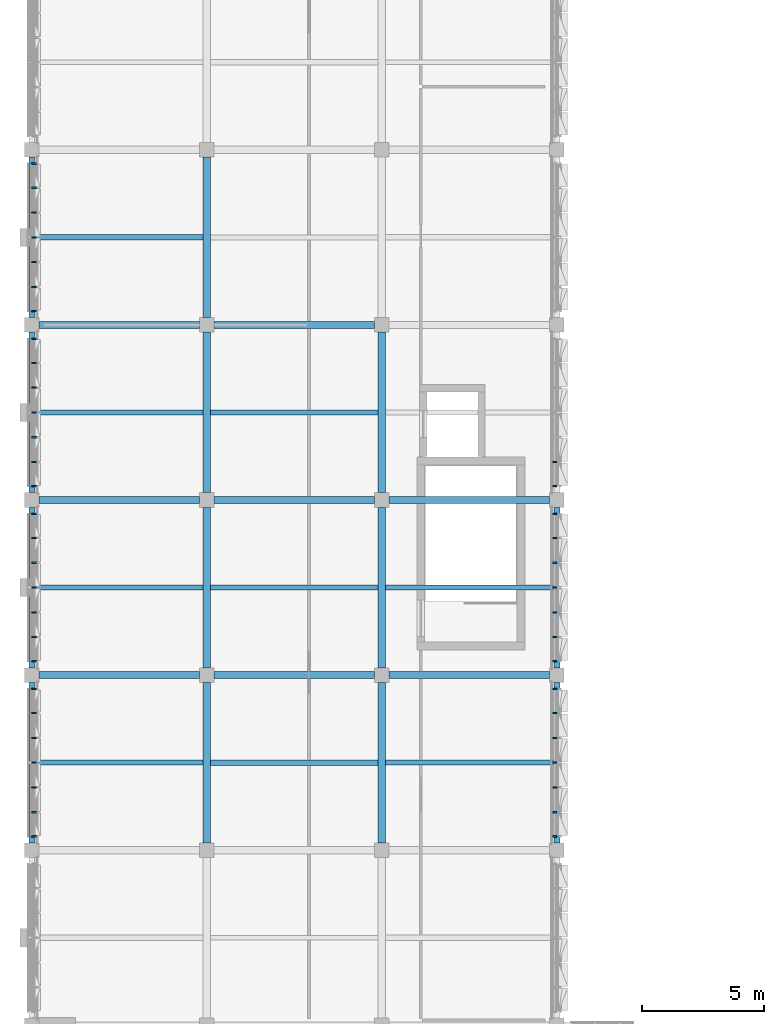
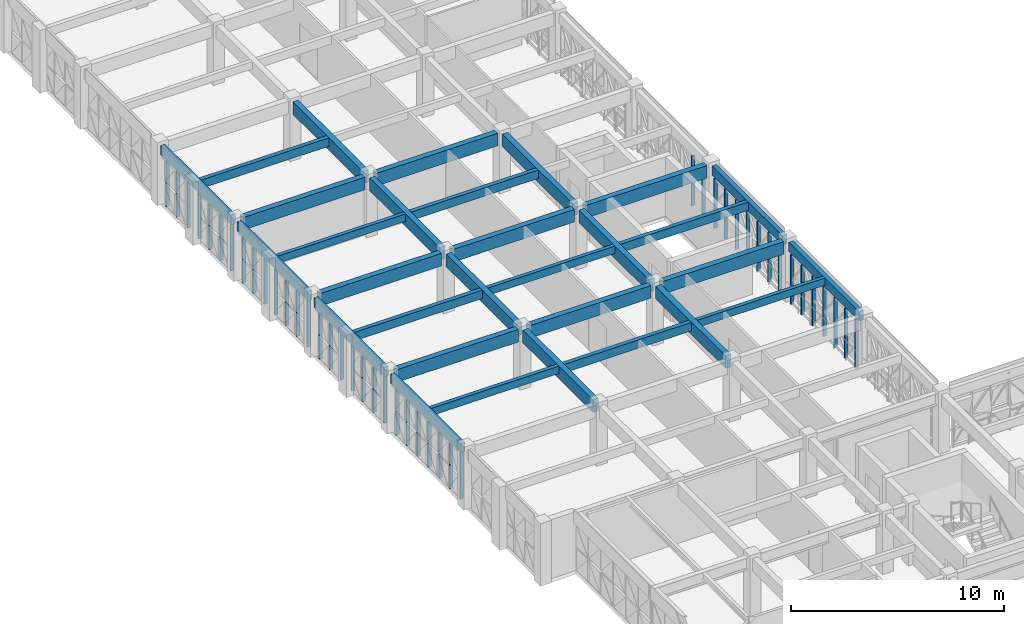
# One storey, part 13 of 74: 44 members, 30 beams, 7 elements without a shape of their own.
"""IFC4 building model written with IfcOpenShell, lengths in metres."""

from ifc_helpers import new_model, si_unit, direction, frame, origin, origin_2d, place, context, subcontext, project, spatial, rectangle, extrude, material, material_profile, profile_set, type_object, element, aggregate, save


model = new_model("IFC4")

# Units and contexts
model_context = context("Model", 3, precision=1e-05, world=origin(), true_north=direction((0.0, 1.0)))
body_context = subcontext(model_context, "Body", "Model", "MODEL_VIEW")
ifc_project = project(units=[si_unit("LENGTHUNIT", "METRE"), si_unit("AREAUNIT", "SQUARE_METRE"), si_unit("VOLUMEUNIT", "CUBIC_METRE"), si_unit("PLANEANGLEUNIT", "RADIAN"), si_unit("MASSUNIT", "GRAM", prefix="KILO")], contexts=[model_context])

# Site, building, storey
site_placement = place(None, origin())
site = spatial("IfcSite", under=ifc_project, at=site_placement, CompositionType="ELEMENT")
building_placement = place(site_placement, origin())
building = spatial("IfcBuilding", under=site, at=building_placement, Name="Alvorim Cloister Faculty of Sciences", CompositionType="ELEMENT")
storey_placement = place(building_placement, frame((0.0, 0.0, 15.75)))
storey = spatial("IfcBuildingStorey", under=building, at=storey_placement, Name="L04", CompositionType="ELEMENT", Elevation=15.75)

# Beams
ifc_material_1 = material(Name="Glulam GL32h", Category="wood")
ifc_material_profile_1 = material_profile(ifc_material_1, rectangle(XDim=0.300048828125, YDim=0.719970703125, at=origin_2d()), Name="GL32-BM-300x720")
ifc_profile_set_1 = profile_set([ifc_material_profile_1], Name="Glulam GL32h")
beam_type_1 = type_object("IfcBeamType", Name="BM-GL-300x720", PredefinedType="BEAM", material=ifc_profile_set_1)
beam_1_placement = place(storey_placement, frame((0.300048828125, 70.800048828125, 3.030029296875), z_axis=(1.0, 0.0, 0.0), x_axis=(0.0, 1.0, 0.0)))
element("IfcBeam", 1, at=beam_1_placement, inside=storey, type_object=beam_type_1, Name="L04 Primary Beam BM-1774", PredefinedType="BEAM", context=body_context, shape_type="SweptSolid", body=[
    extrude(rectangle(XDim=0.300048828125, YDim=0.719970703125, at=origin_2d()), origin(), (0.0, 0.0, 1.0), 6.599853515625),
])
for number, where, z_axis, x_axis, name in (
    (2, (7.5, 70.800048828125, 3.030029296875), (1.0, 0.0, 0.0), (0.0, 1.0, 0.0), "L04 Primary Beam BM-1775"),
    (3, (14.699951171875, 70.800048828125, 3.030029296875), (1.0, 0.0, 0.0), (0.0, 1.0, 0.0), "L04 Primary Beam BM-1776"),
):
    element("IfcBeam", number, at=place(storey_placement, frame(where, z_axis=z_axis, x_axis=x_axis)), inside=storey, type_object=beam_type_1, Name=name, PredefinedType="BEAM", context=body_context, shape_type="SweptSolid", body=[
        extrude(rectangle(XDim=0.300048828125, YDim=0.719970703125, at=origin_2d()), origin(), (0.0, 0.0, 1.0), 6.60009765625),
    ])
beam_2_placement = place(storey_placement, frame((0.300048828125, 78.0, 3.030029296875), z_axis=(1.0, 0.0, 0.0), x_axis=(0.0, 1.0, 0.0)))
element("IfcBeam", 4, at=beam_2_placement, inside=storey, type_object=beam_type_1, Name="L04 Primary Beam BM-1777", PredefinedType="BEAM", context=body_context, shape_type="SweptSolid", body=[
    extrude(rectangle(XDim=0.300048828125, YDim=0.719970703125, at=origin_2d()), origin(), (0.0, 0.0, 1.0), 6.599853515625),
])
for number, where, z_axis, x_axis, name in (
    (5, (7.5, 78.0, 3.030029296875), (1.0, 0.0, 0.0), (0.0, 1.0, 0.0), "L04 Primary Beam BM-1778"),
    (6, (14.699951171875, 78.0, 3.030029296875), (1.0, 0.0, 0.0), (0.0, 1.0, 0.0), "L04 Primary Beam BM-1779"),
):
    element("IfcBeam", number, at=place(storey_placement, frame(where, z_axis=z_axis, x_axis=x_axis)), inside=storey, type_object=beam_type_1, Name=name, PredefinedType="BEAM", context=body_context, shape_type="SweptSolid", body=[
        extrude(rectangle(XDim=0.300048828125, YDim=0.719970703125, at=origin_2d()), origin(), (0.0, 0.0, 1.0), 6.60009765625),
    ])
beam_3_placement = place(storey_placement, frame((0.300048828125, 85.199951171875, 3.030029296875), z_axis=(1.0, 0.0, 0.0), x_axis=(0.0, 1.0, 0.0)))
element("IfcBeam", 7, at=beam_3_placement, inside=storey, type_object=beam_type_1, Name="L04 Primary Beam BM-1780", PredefinedType="BEAM", context=body_context, shape_type="SweptSolid", body=[
    extrude(rectangle(XDim=0.300048828125, YDim=0.719970703125, at=origin_2d()), origin(), (0.0, 0.0, 1.0), 6.599853515625),
])
for number, where, z_axis, x_axis, name in (
    (8, (7.5, 85.199951171875, 3.030029296875), (1.0, 0.0, 0.0), (0.0, 1.0, 0.0), "L04 Primary Beam BM-1781"),
    (9, (7.199951171875, 63.89990234375, 3.030029296875), (0.0, 1.0, 0.0), (-1.0, 0.0, 0.0), "L04 Primary Girder BM-1811"),
):
    element("IfcBeam", number, at=place(storey_placement, frame(where, z_axis=z_axis, x_axis=x_axis)), inside=storey, type_object=beam_type_1, Name=name, PredefinedType="BEAM", context=body_context, shape_type="SweptSolid", body=[
        extrude(rectangle(XDim=0.300048828125, YDim=0.719970703125, at=origin_2d()), origin(), (0.0, 0.0, 1.0), 6.60009765625),
    ])
for number, where, z_axis, x_axis, name in (
    (10, (7.199951171875, 71.10009765625, 3.030029296875), (0.0, 1.0, 0.0), (-1.0, 0.0, 0.0), "L04 Primary Girder BM-1812"),
    (11, (7.199951171875, 78.300048828125, 3.030029296875), (0.0, 1.0, 0.0), (-1.0, 0.0, 0.0), "L04 Primary Girder BM-1813"),
):
    element("IfcBeam", number, at=place(storey_placement, frame(where, z_axis=z_axis, x_axis=x_axis)), inside=storey, type_object=beam_type_1, Name=name, PredefinedType="BEAM", context=body_context, shape_type="SweptSolid", body=[
        extrude(rectangle(XDim=0.300048828125, YDim=0.719970703125, at=origin_2d()), origin(), (0.0, 0.0, 1.0), 6.599853515625),
    ])
for number, where, z_axis, x_axis, name in (
    (12, (7.199951171875, 85.5, 3.030029296875), (0.0, 1.0, 0.0), (-1.0, 0.0, 0.0), "L04 Primary Girder BM-1814"),
    (13, (14.39990234375, 63.89990234375, 3.030029296875), (0.0, 1.0, 0.0), (-1.0, 0.0, 0.0), "L04 Primary Girder BM-1826"),
):
    element("IfcBeam", number, at=place(storey_placement, frame(where, z_axis=z_axis, x_axis=x_axis)), inside=storey, type_object=beam_type_1, Name=name, PredefinedType="BEAM", context=body_context, shape_type="SweptSolid", body=[
        extrude(rectangle(XDim=0.300048828125, YDim=0.719970703125, at=origin_2d()), origin(), (0.0, 0.0, 1.0), 6.60009765625),
    ])
for number, where, z_axis, x_axis, name in (
    (14, (14.39990234375, 71.10009765625, 3.030029296875), (0.0, 1.0, 0.0), (-1.0, 0.0, 0.0), "L04 Primary Girder BM-1827"),
    (15, (14.39990234375, 78.300048828125, 3.030029296875), (0.0, 1.0, 0.0), (-1.0, 0.0, 0.0), "L04 Primary Girder BM-1828"),
):
    element("IfcBeam", number, at=place(storey_placement, frame(where, z_axis=z_axis, x_axis=x_axis)), inside=storey, type_object=beam_type_1, Name=name, PredefinedType="BEAM", context=body_context, shape_type="SweptSolid", body=[
        extrude(rectangle(XDim=0.300048828125, YDim=0.719970703125, at=origin_2d()), origin(), (0.0, 0.0, 1.0), 6.599853515625),
    ])
ifc_material_2 = material(Name="Glulam GL28h", Category="wood")
ifc_material_profile_2 = material_profile(ifc_material_2, rectangle(XDim=0.199951171875, YDim=0.419921875, at=origin_2d()), Name="GL28-JST-200x420")
ifc_profile_set_2 = profile_set([ifc_material_profile_2], Name="Glulam GL28h")
beam_type_2 = type_object("IfcBeamType", Name="BM-JST-GL-200x420", PredefinedType="JOIST", material=ifc_profile_set_2)
for number, where, z_axis, x_axis, name in (
    (16, (0.1201171875, 67.199951171875, 3.179931640625), (1.0, 0.0, 0.0), (0.0, 1.0, 0.0), "L04 Secondary Floor Joist BM-1892"),
    (17, (0.1201171875, 81.60009765625, 3.179931640625), (1.0, 0.0, 0.0), (0.0, 1.0, 0.0), "L04 Secondary Floor Joist BM-1894"),
):
    element("IfcBeam", number, at=place(storey_placement, frame(where, z_axis=z_axis, x_axis=x_axis)), inside=storey, type_object=beam_type_2, Name=name, PredefinedType="JOIST", context=body_context, shape_type="SweptSolid", body=[
        extrude(rectangle(XDim=0.199951171875, YDim=0.419921875, at=origin_2d()), origin(), (0.0, 0.0, 1.0), 6.929931640625),
    ])
beam_4_placement = place(storey_placement, frame((7.35009765625, 74.39990234375, 3.179931640625), z_axis=(1.0, 0.0, 0.0), x_axis=(0.0, 1.0, 0.0)))
element("IfcBeam", 18, at=beam_4_placement, inside=storey, type_object=beam_type_2, Name="L04 Secondary Floor Joist BM-1908", PredefinedType="JOIST", context=body_context, shape_type="SweptSolid", body=[
    extrude(rectangle(XDim=0.199951171875, YDim=0.419921875, at=origin_2d()), origin(), (0.0, 0.0, 1.0), 6.89990234375),
])
beam_5_placement = place(storey_placement, frame((14.550048828125, 67.199951171875, 3.179931640625), z_axis=(1.0, 0.0, 0.0), x_axis=(0.0, 1.0, 0.0)))
element("IfcBeam", 19, at=beam_5_placement, inside=storey, type_object=beam_type_2, Name="L04 Secondary Floor Joist BM-1916", PredefinedType="JOIST", context=body_context, shape_type="SweptSolid", body=[
    extrude(rectangle(XDim=0.199951171875, YDim=0.419921875, at=origin_2d()), origin(), (0.0, 0.0, 1.0), 6.929931640625),
])
ifc_material_profile_3 = material_profile(ifc_material_2, rectangle(XDim=0.219970703125, YDim=0.47998046875, at=origin_2d()), Name="GL28-JST-220x480")
ifc_profile_set_3 = profile_set([ifc_material_profile_3], Name="Glulam GL28h")
beam_type_3 = type_object("IfcBeamType", Name="BM-JST-GL-220x480", PredefinedType="JOIST", material=ifc_profile_set_3)
for number, where, z_axis, x_axis, name in (
    (20, (0.1201171875, 74.39990234375, 3.14990234375), (1.0, 0.0, 0.0), (0.0, 1.0, 0.0), "L04 Secondary Floor Joist BM-1893"),
    (21, (0.1201171875, 88.800048828125, 3.14990234375), (1.0, 0.0, 0.0), (0.0, 1.0, 0.0), "L04 Secondary Floor Joist BM-1895"),
):
    element("IfcBeam", number, at=place(storey_placement, frame(where, z_axis=z_axis, x_axis=x_axis)), inside=storey, type_object=beam_type_3, Name=name, PredefinedType="JOIST", context=body_context, shape_type="SweptSolid", body=[
        extrude(rectangle(XDim=0.219970703125, YDim=0.47998046875, at=origin_2d()), origin(), (0.0, 0.0, 1.0), 6.929931640625),
    ])
for number, where, z_axis, x_axis, name in (
    (22, (7.35009765625, 67.199951171875, 3.14990234375), (1.0, 0.0, 0.0), (0.0, 1.0, 0.0), "L04 Secondary Floor Joist BM-1907"),
    (23, (7.35009765625, 81.60009765625, 3.14990234375), (1.0, 0.0, 0.0), (0.0, 1.0, 0.0), "L04 Secondary Floor Joist BM-1909"),
):
    element("IfcBeam", number, at=place(storey_placement, frame(where, z_axis=z_axis, x_axis=x_axis)), inside=storey, type_object=beam_type_3, Name=name, PredefinedType="JOIST", context=body_context, shape_type="SweptSolid", body=[
        extrude(rectangle(XDim=0.219970703125, YDim=0.47998046875, at=origin_2d()), origin(), (0.0, 0.0, 1.0), 6.89990234375),
    ])
beam_6_placement = place(storey_placement, frame((14.550048828125, 74.39990234375, 3.14990234375), z_axis=(1.0, 0.0, 0.0), x_axis=(0.0, 1.0, 0.0)))
element("IfcBeam", 24, at=beam_6_placement, inside=storey, type_object=beam_type_3, Name="L04 Secondary Floor Joist BM-1917", PredefinedType="JOIST", context=body_context, shape_type="SweptSolid", body=[
    extrude(rectangle(XDim=0.219970703125, YDim=0.47998046875, at=origin_2d()), origin(), (0.0, 0.0, 1.0), 6.929931640625),
])
ifc_material_profile_4 = material_profile(ifc_material_2, rectangle(XDim=0.239990234375, YDim=0.5400390625, at=origin_2d()), Name="GL28-SPD-240x540")
ifc_profile_set_4 = profile_set([ifc_material_profile_4], Name="Glulam GL28h")
beam_type_4 = type_object("IfcBeamType", Name="BM-SPD-GL-240x540", PredefinedType="SPANDREL", material=ifc_profile_set_4)
beam_7_placement = place(storey_placement, frame((0.0, 63.89990234375, 3.1201171875), z_axis=(0.0, 1.0, 0.0), x_axis=(-1.0, 0.0, 0.0)))
element("IfcBeam", 25, at=beam_7_placement, inside=storey, type_object=beam_type_4, Name="L04 Primary Girder BM-1796", PredefinedType="SPANDREL", context=body_context, shape_type="SweptSolid", body=[
    extrude(rectangle(XDim=0.239990234375, YDim=0.5400390625, at=origin_2d()), origin(), (0.0, 0.0, 1.0), 6.60009765625),
])
for number, where, z_axis, x_axis, name in (
    (26, (0.0, 71.10009765625, 3.1201171875), (0.0, 1.0, 0.0), (-1.0, 0.0, 0.0), "L04 Primary Girder BM-1797"),
    (27, (0.0, 78.300048828125, 3.1201171875), (0.0, 1.0, 0.0), (-1.0, 0.0, 0.0), "L04 Primary Girder BM-1798"),
):
    element("IfcBeam", number, at=place(storey_placement, frame(where, z_axis=z_axis, x_axis=x_axis)), inside=storey, type_object=beam_type_4, Name=name, PredefinedType="SPANDREL", context=body_context, shape_type="SweptSolid", body=[
        extrude(rectangle(XDim=0.239990234375, YDim=0.5400390625, at=origin_2d()), origin(), (0.0, 0.0, 1.0), 6.599853515625),
    ])
for number, where, z_axis, x_axis, name in (
    (28, (0.0, 85.5, 3.1201171875), (0.0, 1.0, 0.0), (-1.0, 0.0, 0.0), "L04 Primary Girder BM-1799"),
    (29, (21.60009765625, 63.89990234375, 3.1201171875), (0.0, 1.0, 0.0), (-1.0, 0.0, 0.0), "L04 Primary Girder BM-1841"),
):
    element("IfcBeam", number, at=place(storey_placement, frame(where, z_axis=z_axis, x_axis=x_axis)), inside=storey, type_object=beam_type_4, Name=name, PredefinedType="SPANDREL", context=body_context, shape_type="SweptSolid", body=[
        extrude(rectangle(XDim=0.239990234375, YDim=0.5400390625, at=origin_2d()), origin(), (0.0, 0.0, 1.0), 6.60009765625),
    ])
beam_8_placement = place(storey_placement, frame((21.60009765625, 71.10009765625, 3.1201171875), z_axis=(0.0, 1.0, 0.0), x_axis=(-1.0, 0.0, 0.0)))
element("IfcBeam", 30, at=beam_8_placement, inside=storey, type_object=beam_type_4, Name="L04 Primary Girder BM-1842", PredefinedType="SPANDREL", context=body_context, shape_type="SweptSolid", body=[
    extrude(rectangle(XDim=0.239990234375, YDim=0.5400390625, at=origin_2d()), origin(), (0.0, 0.0, 1.0), 6.599853515625),
])

# Curtain wall, members
ifc_material_3 = material(Name="Aluminium and Low-E Glass Curtain Wall", Category="aluminium")
curtain_wall_type = type_object("IfcCurtainWallType", Name="CW-TRI-6120x2850", PredefinedType="USERDEFINED", material=ifc_material_3)
curtain_wall_1_placement = place(storey_placement, origin())
curtain_wall_1 = element("IfcCurtainWall", 31, at=curtain_wall_1_placement, inside=storey, type_object=curtain_wall_type, Name="L04 Diagonal Cassette Curtain Wall CW-0171", ObjectType="UNITISED CURTAIN WALL", PredefinedType="USERDEFINED")
ifc_material_4 = material(Name="Aluminium Alloy 6063-T6", Category="aluminium")
ifc_material_profile_5 = material_profile(ifc_material_4, rectangle(XDim=0.06494140625, YDim=0.179931640625, at=origin_2d()), Name="ALU-MUL-65x180")
ifc_profile_set_5 = profile_set([ifc_material_profile_5], Name="Aluminium Alloy 6063-T6")
member_type = type_object("IfcMemberType", Name="CW-MUL-65x180", PredefinedType="MULLION", material=ifc_profile_set_5)
member_1_placement = place(storey_placement, frame((0.090087890625, 64.172607421875, 0.0), z_axis=(0.0, 0.0, 1.0), x_axis=(0.0, 1.0, 0.0)))
member_1 = element("IfcMember", 32, at=member_1_placement, type_object=member_type, Name="CW-0171 Mullion 1", PredefinedType="MULLION", context=body_context, shape_type="SweptSolid", body=[
    extrude(rectangle(XDim=0.06494140625, YDim=0.179931640625, at=origin_2d()), origin(), (0.0, 0.0, 1.0), 2.85009765625),
])
member_2_placement = place(storey_placement, frame((0.090087890625, 65.159912109375, 0.0), z_axis=(0.0, 0.0, 1.0), x_axis=(0.0, 1.0, 0.0)))
member_2 = element("IfcMember", 33, at=member_2_placement, type_object=member_type, Name="CW-0171 Mullion 2", PredefinedType="MULLION", context=body_context, shape_type="SweptSolid", body=[
    extrude(rectangle(XDim=0.06494140625, YDim=0.179931640625, at=origin_2d()), origin(), (0.0, 0.0, 1.0), 2.85009765625),
])
member_3_placement = place(storey_placement, frame((0.090087890625, 66.179931640625, 0.0), z_axis=(0.0, 0.0, 1.0), x_axis=(0.0, 1.0, 0.0)))
member_3 = element("IfcMember", 34, at=member_3_placement, type_object=member_type, Name="CW-0171 Mullion 3", PredefinedType="MULLION", context=body_context, shape_type="SweptSolid", body=[
    extrude(rectangle(XDim=0.06494140625, YDim=0.179931640625, at=origin_2d()), origin(), (0.0, 0.0, 1.0), 2.85009765625),
])
member_4_placement = place(storey_placement, frame((0.090087890625, 67.199951171875, 0.0), z_axis=(0.0, 0.0, 1.0), x_axis=(0.0, 1.0, 0.0)))
member_4 = element("IfcMember", 35, at=member_4_placement, type_object=member_type, Name="CW-0171 Mullion 4", PredefinedType="MULLION", context=body_context, shape_type="SweptSolid", body=[
    extrude(rectangle(XDim=0.06494140625, YDim=0.179931640625, at=origin_2d()), origin(), (0.0, 0.0, 1.0), 2.85009765625),
])
member_5_placement = place(storey_placement, frame((0.090087890625, 68.219970703125, 0.0), z_axis=(0.0, 0.0, 1.0), x_axis=(0.0, 1.0, 0.0)))
member_5 = element("IfcMember", 36, at=member_5_placement, type_object=member_type, Name="CW-0171 Mullion 5", PredefinedType="MULLION", context=body_context, shape_type="SweptSolid", body=[
    extrude(rectangle(XDim=0.06494140625, YDim=0.179931640625, at=origin_2d()), origin(), (0.0, 0.0, 1.0), 2.85009765625),
])
member_6_placement = place(storey_placement, frame((0.090087890625, 69.239990234375, 0.0), z_axis=(0.0, 0.0, 1.0), x_axis=(0.0, 1.0, 0.0)))
member_6 = element("IfcMember", 37, at=member_6_placement, type_object=member_type, Name="CW-0171 Mullion 6", PredefinedType="MULLION", context=body_context, shape_type="SweptSolid", body=[
    extrude(rectangle(XDim=0.06494140625, YDim=0.179931640625, at=origin_2d()), origin(), (0.0, 0.0, 1.0), 2.85009765625),
])
member_7_placement = place(storey_placement, frame((0.090087890625, 70.2275390625, 0.0), z_axis=(0.0, 0.0, 1.0), x_axis=(0.0, 1.0, 0.0)))
member_7 = element("IfcMember", 38, at=member_7_placement, type_object=member_type, Name="CW-0171 Mullion 7", PredefinedType="MULLION", context=body_context, shape_type="SweptSolid", body=[
    extrude(rectangle(XDim=0.06494140625, YDim=0.179931640625, at=origin_2d()), origin(), (0.0, 0.0, 1.0), 2.85009765625),
])
aggregate(curtain_wall_1, [member_1, member_2, member_3, member_4, member_5, member_6, member_7])

curtain_wall_2_placement = place(storey_placement, origin())
curtain_wall_2 = element("IfcCurtainWall", 39, at=curtain_wall_2_placement, inside=storey, type_object=curtain_wall_type, Name="L04 Diagonal Cassette Curtain Wall CW-0172", ObjectType="UNITISED CURTAIN WALL", PredefinedType="USERDEFINED")
member_8_placement = place(storey_placement, frame((0.090087890625, 71.37255859375, 0.0), z_axis=(0.0, 0.0, 1.0), x_axis=(0.0, 1.0, 0.0)))
member_8 = element("IfcMember", 40, at=member_8_placement, type_object=member_type, Name="CW-0172 Mullion 1", PredefinedType="MULLION", context=body_context, shape_type="SweptSolid", body=[
    extrude(rectangle(XDim=0.06494140625, YDim=0.179931640625, at=origin_2d()), origin(), (0.0, 0.0, 1.0), 2.85009765625),
])
member_9_placement = place(storey_placement, frame((0.090087890625, 72.360107421875, 0.0), z_axis=(0.0, 0.0, 1.0), x_axis=(0.0, 1.0, 0.0)))
member_9 = element("IfcMember", 41, at=member_9_placement, type_object=member_type, Name="CW-0172 Mullion 2", PredefinedType="MULLION", context=body_context, shape_type="SweptSolid", body=[
    extrude(rectangle(XDim=0.06494140625, YDim=0.179931640625, at=origin_2d()), origin(), (0.0, 0.0, 1.0), 2.85009765625),
])
member_10_placement = place(storey_placement, frame((0.090087890625, 73.3798828125, 0.0), z_axis=(0.0, 0.0, 1.0), x_axis=(0.0, 1.0, 0.0)))
member_10 = element("IfcMember", 42, at=member_10_placement, type_object=member_type, Name="CW-0172 Mullion 3", PredefinedType="MULLION", context=body_context, shape_type="SweptSolid", body=[
    extrude(rectangle(XDim=0.06494140625, YDim=0.179931640625, at=origin_2d()), origin(), (0.0, 0.0, 1.0), 2.85009765625),
])
member_11_placement = place(storey_placement, frame((0.090087890625, 74.39990234375, 0.0), z_axis=(0.0, 0.0, 1.0), x_axis=(0.0, 1.0, 0.0)))
member_11 = element("IfcMember", 43, at=member_11_placement, type_object=member_type, Name="CW-0172 Mullion 4", PredefinedType="MULLION", context=body_context, shape_type="SweptSolid", body=[
    extrude(rectangle(XDim=0.06494140625, YDim=0.179931640625, at=origin_2d()), origin(), (0.0, 0.0, 1.0), 2.85009765625),
])
member_12_placement = place(storey_placement, frame((0.090087890625, 75.419921875, 0.0), z_axis=(0.0, 0.0, 1.0), x_axis=(0.0, 1.0, 0.0)))
member_12 = element("IfcMember", 44, at=member_12_placement, type_object=member_type, Name="CW-0172 Mullion 5", PredefinedType="MULLION", context=body_context, shape_type="SweptSolid", body=[
    extrude(rectangle(XDim=0.06494140625, YDim=0.179931640625, at=origin_2d()), origin(), (0.0, 0.0, 1.0), 2.85009765625),
])
member_13_placement = place(storey_placement, frame((0.090087890625, 76.43994140625, 0.0), z_axis=(0.0, 0.0, 1.0), x_axis=(0.0, 1.0, 0.0)))
member_13 = element("IfcMember", 45, at=member_13_placement, type_object=member_type, Name="CW-0172 Mullion 6", PredefinedType="MULLION", context=body_context, shape_type="SweptSolid", body=[
    extrude(rectangle(XDim=0.06494140625, YDim=0.179931640625, at=origin_2d()), origin(), (0.0, 0.0, 1.0), 2.85009765625),
])
member_14_placement = place(storey_placement, frame((0.090087890625, 77.427490234375, 0.0), z_axis=(0.0, 0.0, 1.0), x_axis=(0.0, 1.0, 0.0)))
member_14 = element("IfcMember", 46, at=member_14_placement, type_object=member_type, Name="CW-0172 Mullion 7", PredefinedType="MULLION", context=body_context, shape_type="SweptSolid", body=[
    extrude(rectangle(XDim=0.06494140625, YDim=0.179931640625, at=origin_2d()), origin(), (0.0, 0.0, 1.0), 2.85009765625),
])
aggregate(curtain_wall_2, [member_8, member_9, member_10, member_11, member_12, member_13, member_14])

curtain_wall_3_placement = place(storey_placement, origin())
curtain_wall_3 = element("IfcCurtainWall", 47, at=curtain_wall_3_placement, inside=storey, type_object=curtain_wall_type, Name="L04 Diagonal Cassette Curtain Wall CW-0173", ObjectType="UNITISED CURTAIN WALL", PredefinedType="USERDEFINED")
member_15_placement = place(storey_placement, frame((0.090087890625, 78.572509765625, 0.0), z_axis=(0.0, 0.0, 1.0), x_axis=(0.0, 1.0, 0.0)))
member_15 = element("IfcMember", 48, at=member_15_placement, type_object=member_type, Name="CW-0173 Mullion 1", PredefinedType="MULLION", context=body_context, shape_type="SweptSolid", body=[
    extrude(rectangle(XDim=0.06494140625, YDim=0.179931640625, at=origin_2d()), origin(), (0.0, 0.0, 1.0), 2.85009765625),
])
member_16_placement = place(storey_placement, frame((0.090087890625, 79.56005859375, 0.0), z_axis=(0.0, 0.0, 1.0), x_axis=(0.0, 1.0, 0.0)))
member_16 = element("IfcMember", 49, at=member_16_placement, type_object=member_type, Name="CW-0173 Mullion 2", PredefinedType="MULLION", context=body_context, shape_type="SweptSolid", body=[
    extrude(rectangle(XDim=0.06494140625, YDim=0.179931640625, at=origin_2d()), origin(), (0.0, 0.0, 1.0), 2.85009765625),
])
member_17_placement = place(storey_placement, frame((0.090087890625, 80.580078125, 0.0), z_axis=(0.0, 0.0, 1.0), x_axis=(0.0, 1.0, 0.0)))
member_17 = element("IfcMember", 50, at=member_17_placement, type_object=member_type, Name="CW-0173 Mullion 3", PredefinedType="MULLION", context=body_context, shape_type="SweptSolid", body=[
    extrude(rectangle(XDim=0.06494140625, YDim=0.179931640625, at=origin_2d()), origin(), (0.0, 0.0, 1.0), 2.85009765625),
])
member_18_placement = place(storey_placement, frame((0.090087890625, 81.60009765625, 0.0), z_axis=(0.0, 0.0, 1.0), x_axis=(0.0, 1.0, 0.0)))
member_18 = element("IfcMember", 51, at=member_18_placement, type_object=member_type, Name="CW-0173 Mullion 4", PredefinedType="MULLION", context=body_context, shape_type="SweptSolid", body=[
    extrude(rectangle(XDim=0.06494140625, YDim=0.179931640625, at=origin_2d()), origin(), (0.0, 0.0, 1.0), 2.85009765625),
])
member_19_placement = place(storey_placement, frame((0.090087890625, 82.6201171875, 0.0), z_axis=(0.0, 0.0, 1.0), x_axis=(0.0, 1.0, 0.0)))
member_19 = element("IfcMember", 52, at=member_19_placement, type_object=member_type, Name="CW-0173 Mullion 5", PredefinedType="MULLION", context=body_context, shape_type="SweptSolid", body=[
    extrude(rectangle(XDim=0.06494140625, YDim=0.179931640625, at=origin_2d()), origin(), (0.0, 0.0, 1.0), 2.85009765625),
])
member_20_placement = place(storey_placement, frame((0.090087890625, 83.639892578125, 0.0), z_axis=(0.0, 0.0, 1.0), x_axis=(0.0, 1.0, 0.0)))
member_20 = element("IfcMember", 53, at=member_20_placement, type_object=member_type, Name="CW-0173 Mullion 6", PredefinedType="MULLION", context=body_context, shape_type="SweptSolid", body=[
    extrude(rectangle(XDim=0.06494140625, YDim=0.179931640625, at=origin_2d()), origin(), (0.0, 0.0, 1.0), 2.85009765625),
])
member_21_placement = place(storey_placement, frame((0.090087890625, 84.62744140625, 0.0), z_axis=(0.0, 0.0, 1.0), x_axis=(0.0, 1.0, 0.0)))
member_21 = element("IfcMember", 54, at=member_21_placement, type_object=member_type, Name="CW-0173 Mullion 7", PredefinedType="MULLION", context=body_context, shape_type="SweptSolid", body=[
    extrude(rectangle(XDim=0.06494140625, YDim=0.179931640625, at=origin_2d()), origin(), (0.0, 0.0, 1.0), 2.85009765625),
])
aggregate(curtain_wall_3, [member_15, member_16, member_17, member_18, member_19, member_20, member_21])

curtain_wall_4_placement = place(storey_placement, origin())
curtain_wall_4 = element("IfcCurtainWall", 55, at=curtain_wall_4_placement, inside=storey, type_object=curtain_wall_type, Name="L04 Diagonal Cassette Curtain Wall CW-0174", ObjectType="UNITISED CURTAIN WALL", PredefinedType="USERDEFINED")
member_22_placement = place(storey_placement, frame((0.090087890625, 85.7724609375, 0.0), z_axis=(0.0, 0.0, 1.0), x_axis=(0.0, 1.0, 0.0)))
member_22 = element("IfcMember", 56, at=member_22_placement, type_object=member_type, Name="CW-0174 Mullion 1", PredefinedType="MULLION", context=body_context, shape_type="SweptSolid", body=[
    extrude(rectangle(XDim=0.06494140625, YDim=0.179931640625, at=origin_2d()), origin(), (0.0, 0.0, 1.0), 2.85009765625),
])
member_23_placement = place(storey_placement, frame((0.090087890625, 86.760009765625, 0.0), z_axis=(0.0, 0.0, 1.0), x_axis=(0.0, 1.0, 0.0)))
member_23 = element("IfcMember", 57, at=member_23_placement, type_object=member_type, Name="CW-0174 Mullion 2", PredefinedType="MULLION", context=body_context, shape_type="SweptSolid", body=[
    extrude(rectangle(XDim=0.06494140625, YDim=0.179931640625, at=origin_2d()), origin(), (0.0, 0.0, 1.0), 2.85009765625),
])
member_24_placement = place(storey_placement, frame((0.090087890625, 87.780029296875, 0.0), z_axis=(0.0, 0.0, 1.0), x_axis=(0.0, 1.0, 0.0)))
member_24 = element("IfcMember", 58, at=member_24_placement, type_object=member_type, Name="CW-0174 Mullion 3", PredefinedType="MULLION", context=body_context, shape_type="SweptSolid", body=[
    extrude(rectangle(XDim=0.06494140625, YDim=0.179931640625, at=origin_2d()), origin(), (0.0, 0.0, 1.0), 2.85009765625),
])
member_25_placement = place(storey_placement, frame((0.090087890625, 88.800048828125, 0.0), z_axis=(0.0, 0.0, 1.0), x_axis=(0.0, 1.0, 0.0)))
member_25 = element("IfcMember", 59, at=member_25_placement, type_object=member_type, Name="CW-0174 Mullion 4", PredefinedType="MULLION", context=body_context, shape_type="SweptSolid", body=[
    extrude(rectangle(XDim=0.06494140625, YDim=0.179931640625, at=origin_2d()), origin(), (0.0, 0.0, 1.0), 2.85009765625),
])
member_26_placement = place(storey_placement, frame((0.090087890625, 89.820068359375, 0.0), z_axis=(0.0, 0.0, 1.0), x_axis=(0.0, 1.0, 0.0)))
member_26 = element("IfcMember", 60, at=member_26_placement, type_object=member_type, Name="CW-0174 Mullion 5", PredefinedType="MULLION", context=body_context, shape_type="SweptSolid", body=[
    extrude(rectangle(XDim=0.06494140625, YDim=0.179931640625, at=origin_2d()), origin(), (0.0, 0.0, 1.0), 2.85009765625),
])
member_27_placement = place(storey_placement, frame((0.090087890625, 90.840087890625, 0.0), z_axis=(0.0, 0.0, 1.0), x_axis=(0.0, 1.0, 0.0)))
member_27 = element("IfcMember", 61, at=member_27_placement, type_object=member_type, Name="CW-0174 Mullion 6", PredefinedType="MULLION", context=body_context, shape_type="SweptSolid", body=[
    extrude(rectangle(XDim=0.06494140625, YDim=0.179931640625, at=origin_2d()), origin(), (0.0, 0.0, 1.0), 2.85009765625),
])
member_28_placement = place(storey_placement, frame((0.090087890625, 91.827392578125, 0.0), z_axis=(0.0, 0.0, 1.0), x_axis=(0.0, 1.0, 0.0)))
member_28 = element("IfcMember", 62, at=member_28_placement, type_object=member_type, Name="CW-0174 Mullion 7", PredefinedType="MULLION", context=body_context, shape_type="SweptSolid", body=[
    extrude(rectangle(XDim=0.06494140625, YDim=0.179931640625, at=origin_2d()), origin(), (0.0, 0.0, 1.0), 2.85009765625),
])
aggregate(curtain_wall_4, [member_22, member_23, member_24, member_25, member_26, member_27, member_28])

curtain_wall_5_placement = place(storey_placement, origin())
curtain_wall_5 = element("IfcCurtainWall", 63, at=curtain_wall_5_placement, inside=storey, type_object=curtain_wall_type, Name="L04 Diagonal Cassette Curtain Wall CW-0185", ObjectType="UNITISED CURTAIN WALL", PredefinedType="USERDEFINED")
member_29_placement = place(storey_placement, frame((21.510009765625, 78.572509765625, 0.0), z_axis=(0.0, 0.0, 1.0), x_axis=(0.0, 1.0, 0.0)))
member_29 = element("IfcMember", 64, at=member_29_placement, type_object=member_type, Name="CW-0185 Mullion 1", PredefinedType="MULLION", context=body_context, shape_type="SweptSolid", body=[
    extrude(rectangle(XDim=0.06494140625, YDim=0.179931640625, at=origin_2d()), origin(), (0.0, 0.0, 1.0), 2.85009765625),
])
member_30_placement = place(storey_placement, frame((21.510009765625, 79.56005859375, 0.0), z_axis=(0.0, 0.0, 1.0), x_axis=(0.0, 1.0, 0.0)))
member_30 = element("IfcMember", 65, at=member_30_placement, type_object=member_type, Name="CW-0185 Mullion 2", PredefinedType="MULLION", context=body_context, shape_type="SweptSolid", body=[
    extrude(rectangle(XDim=0.06494140625, YDim=0.179931640625, at=origin_2d()), origin(), (0.0, 0.0, 1.0), 2.85009765625),
])
aggregate(curtain_wall_5, [member_29, member_30])

curtain_wall_6_placement = place(storey_placement, origin())
curtain_wall_6 = element("IfcCurtainWall", 66, at=curtain_wall_6_placement, inside=storey, type_object=curtain_wall_type, Name="L04 Diagonal Cassette Curtain Wall CW-0186", ObjectType="UNITISED CURTAIN WALL", PredefinedType="USERDEFINED")
member_31_placement = place(storey_placement, frame((21.510009765625, 71.37255859375, 0.0), z_axis=(0.0, 0.0, 1.0), x_axis=(0.0, 1.0, 0.0)))
member_31 = element("IfcMember", 67, at=member_31_placement, type_object=member_type, Name="CW-0186 Mullion 1", PredefinedType="MULLION", context=body_context, shape_type="SweptSolid", body=[
    extrude(rectangle(XDim=0.06494140625, YDim=0.179931640625, at=origin_2d()), origin(), (0.0, 0.0, 1.0), 2.85009765625),
])
member_32_placement = place(storey_placement, frame((21.510009765625, 72.360107421875, 0.0), z_axis=(0.0, 0.0, 1.0), x_axis=(0.0, 1.0, 0.0)))
member_32 = element("IfcMember", 68, at=member_32_placement, type_object=member_type, Name="CW-0186 Mullion 2", PredefinedType="MULLION", context=body_context, shape_type="SweptSolid", body=[
    extrude(rectangle(XDim=0.06494140625, YDim=0.179931640625, at=origin_2d()), origin(), (0.0, 0.0, 1.0), 2.85009765625),
])
member_33_placement = place(storey_placement, frame((21.510009765625, 73.3798828125, 0.0), z_axis=(0.0, 0.0, 1.0), x_axis=(0.0, 1.0, 0.0)))
member_33 = element("IfcMember", 69, at=member_33_placement, type_object=member_type, Name="CW-0186 Mullion 3", PredefinedType="MULLION", context=body_context, shape_type="SweptSolid", body=[
    extrude(rectangle(XDim=0.06494140625, YDim=0.179931640625, at=origin_2d()), origin(), (0.0, 0.0, 1.0), 2.85009765625),
])
member_34_placement = place(storey_placement, frame((21.510009765625, 74.39990234375, 0.0), z_axis=(0.0, 0.0, 1.0), x_axis=(0.0, 1.0, 0.0)))
member_34 = element("IfcMember", 70, at=member_34_placement, type_object=member_type, Name="CW-0186 Mullion 4", PredefinedType="MULLION", context=body_context, shape_type="SweptSolid", body=[
    extrude(rectangle(XDim=0.06494140625, YDim=0.179931640625, at=origin_2d()), origin(), (0.0, 0.0, 1.0), 2.85009765625),
])
member_35_placement = place(storey_placement, frame((21.510009765625, 75.419921875, 0.0), z_axis=(0.0, 0.0, 1.0), x_axis=(0.0, 1.0, 0.0)))
member_35 = element("IfcMember", 71, at=member_35_placement, type_object=member_type, Name="CW-0186 Mullion 5", PredefinedType="MULLION", context=body_context, shape_type="SweptSolid", body=[
    extrude(rectangle(XDim=0.06494140625, YDim=0.179931640625, at=origin_2d()), origin(), (0.0, 0.0, 1.0), 2.85009765625),
])
member_36_placement = place(storey_placement, frame((21.510009765625, 76.43994140625, 0.0), z_axis=(0.0, 0.0, 1.0), x_axis=(0.0, 1.0, 0.0)))
member_36 = element("IfcMember", 72, at=member_36_placement, type_object=member_type, Name="CW-0186 Mullion 6", PredefinedType="MULLION", context=body_context, shape_type="SweptSolid", body=[
    extrude(rectangle(XDim=0.06494140625, YDim=0.179931640625, at=origin_2d()), origin(), (0.0, 0.0, 1.0), 2.85009765625),
])
member_37_placement = place(storey_placement, frame((21.510009765625, 77.427490234375, 0.0), z_axis=(0.0, 0.0, 1.0), x_axis=(0.0, 1.0, 0.0)))
member_37 = element("IfcMember", 73, at=member_37_placement, type_object=member_type, Name="CW-0186 Mullion 7", PredefinedType="MULLION", context=body_context, shape_type="SweptSolid", body=[
    extrude(rectangle(XDim=0.06494140625, YDim=0.179931640625, at=origin_2d()), origin(), (0.0, 0.0, 1.0), 2.85009765625),
])
aggregate(curtain_wall_6, [member_31, member_32, member_33, member_34, member_35, member_36, member_37])

curtain_wall_7_placement = place(storey_placement, origin())
curtain_wall_7 = element("IfcCurtainWall", 74, at=curtain_wall_7_placement, inside=storey, type_object=curtain_wall_type, Name="L04 Diagonal Cassette Curtain Wall CW-0187", ObjectType="UNITISED CURTAIN WALL", PredefinedType="USERDEFINED")
member_38_placement = place(storey_placement, frame((21.510009765625, 64.172607421875, 0.0), z_axis=(0.0, 0.0, 1.0), x_axis=(0.0, 1.0, 0.0)))
member_38 = element("IfcMember", 75, at=member_38_placement, type_object=member_type, Name="CW-0187 Mullion 1", PredefinedType="MULLION", context=body_context, shape_type="SweptSolid", body=[
    extrude(rectangle(XDim=0.06494140625, YDim=0.179931640625, at=origin_2d()), origin(), (0.0, 0.0, 1.0), 2.85009765625),
])
member_39_placement = place(storey_placement, frame((21.510009765625, 65.159912109375, 0.0), z_axis=(0.0, 0.0, 1.0), x_axis=(0.0, 1.0, 0.0)))
member_39 = element("IfcMember", 76, at=member_39_placement, type_object=member_type, Name="CW-0187 Mullion 2", PredefinedType="MULLION", context=body_context, shape_type="SweptSolid", body=[
    extrude(rectangle(XDim=0.06494140625, YDim=0.179931640625, at=origin_2d()), origin(), (0.0, 0.0, 1.0), 2.85009765625),
])
member_40_placement = place(storey_placement, frame((21.510009765625, 66.179931640625, 0.0), z_axis=(0.0, 0.0, 1.0), x_axis=(0.0, 1.0, 0.0)))
member_40 = element("IfcMember", 77, at=member_40_placement, type_object=member_type, Name="CW-0187 Mullion 3", PredefinedType="MULLION", context=body_context, shape_type="SweptSolid", body=[
    extrude(rectangle(XDim=0.06494140625, YDim=0.179931640625, at=origin_2d()), origin(), (0.0, 0.0, 1.0), 2.85009765625),
])
member_41_placement = place(storey_placement, frame((21.510009765625, 67.199951171875, 0.0), z_axis=(0.0, 0.0, 1.0), x_axis=(0.0, 1.0, 0.0)))
member_41 = element("IfcMember", 78, at=member_41_placement, type_object=member_type, Name="CW-0187 Mullion 4", PredefinedType="MULLION", context=body_context, shape_type="SweptSolid", body=[
    extrude(rectangle(XDim=0.06494140625, YDim=0.179931640625, at=origin_2d()), origin(), (0.0, 0.0, 1.0), 2.85009765625),
])
member_42_placement = place(storey_placement, frame((21.510009765625, 68.219970703125, 0.0), z_axis=(0.0, 0.0, 1.0), x_axis=(0.0, 1.0, 0.0)))
member_42 = element("IfcMember", 79, at=member_42_placement, type_object=member_type, Name="CW-0187 Mullion 5", PredefinedType="MULLION", context=body_context, shape_type="SweptSolid", body=[
    extrude(rectangle(XDim=0.06494140625, YDim=0.179931640625, at=origin_2d()), origin(), (0.0, 0.0, 1.0), 2.85009765625),
])
member_43_placement = place(storey_placement, frame((21.510009765625, 69.239990234375, 0.0), z_axis=(0.0, 0.0, 1.0), x_axis=(0.0, 1.0, 0.0)))
member_43 = element("IfcMember", 80, at=member_43_placement, type_object=member_type, Name="CW-0187 Mullion 6", PredefinedType="MULLION", context=body_context, shape_type="SweptSolid", body=[
    extrude(rectangle(XDim=0.06494140625, YDim=0.179931640625, at=origin_2d()), origin(), (0.0, 0.0, 1.0), 2.85009765625),
])
member_44_placement = place(storey_placement, frame((21.510009765625, 70.2275390625, 0.0), z_axis=(0.0, 0.0, 1.0), x_axis=(0.0, 1.0, 0.0)))
member_44 = element("IfcMember", 81, at=member_44_placement, type_object=member_type, Name="CW-0187 Mullion 7", PredefinedType="MULLION", context=body_context, shape_type="SweptSolid", body=[
    extrude(rectangle(XDim=0.06494140625, YDim=0.179931640625, at=origin_2d()), origin(), (0.0, 0.0, 1.0), 2.85009765625),
])
aggregate(curtain_wall_7, [member_38, member_39, member_40, member_41, member_42, member_43, member_44])

save(model, "model.ifc")
